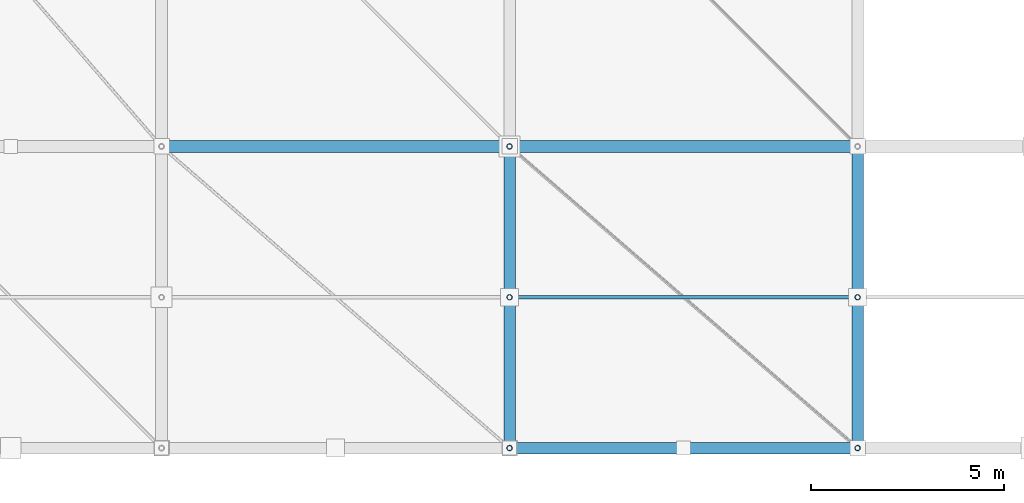
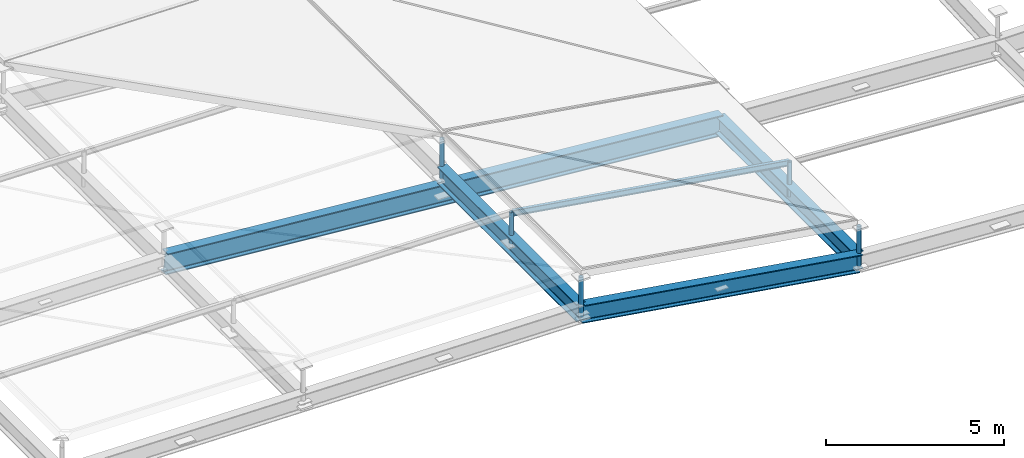
# One storey, part 3 of 80: 6 members, 4 beams.
"""IFC4 building model written with IfcOpenShell, lengths in metres."""

import ifcopenshell
import ifcopenshell.guid

model = None  # the IFC model being written
_history = None  # IfcOwnerHistory: only IFC2X3 demands one
_inside = {}  # id of a spatial element -> (the spatial element, [elements in it])
_under = {}  # id of a project, library or spatial element -> (it, [spatial elements below it])
_declared = {}  # id of a project -> (the project, [libraries it declares])
_typed = {}  # id of a type object -> (the type object, [elements of that type])
_made_of = {}  # id of a material, layer set ... -> (it, [elements and type objects made of it])


def new_model(schema):
    """Start an empty IFC model of exactly this schema.

    Asked for "IFC4X3", IfcOpenShell would pick the latest addendum, in which some entities
    have other attributes; the version numbers below select the first issue.
    IFC2X3 requires an IfcOwnerHistory on every rooted entity: one is made here for all.
    """
    global model, _history
    if schema == "IFC4X3":
        model = ifcopenshell.file(schema_version=(4, 3, 0, 0))
    else:
        model = ifcopenshell.file(schema=schema)
    _inside.clear()
    _under.clear()
    _declared.clear()
    _typed.clear()
    _made_of.clear()
    _history = None
    if model.schema == "IFC2X3":
        org = make("IfcOrganization", Name="unknown")
        user = make(
            "IfcPersonAndOrganization",
            ThePerson=make("IfcPerson", FamilyName="unknown"),
            TheOrganization=org,
        )
        app = make(
            "IfcApplication",
            ApplicationDeveloper=org,
            Version="unknown",
            ApplicationFullName="unknown",
            ApplicationIdentifier="unknown",
        )
        _history = make(
            "IfcOwnerHistory",
            OwningUser=user,
            OwningApplication=app,
            ChangeAction="ADDED",
            CreationDate=0,
        )
    return model


def make(cls, **values):
    """One entity of the class cls with the attributes given. An attribute that is None is left unset."""
    return model.create_entity(
        cls, **{name: value for name, value in values.items() if value is not None}
    )


def rooted(cls, **values):
    """An entity with a GlobalId (a new one), such as an element, a storey or a relation."""
    return make(cls, GlobalId=ifcopenshell.guid.new(), OwnerHistory=_history, **values)


def si_unit(unit_type, name, prefix=None):
    """IfcSIUnit, for example si_unit("LENGTHUNIT", "METRE", prefix="MILLI")."""
    return make("IfcSIUnit", UnitType=unit_type, Prefix=prefix, Name=name)


def assignment(units):
    """IfcUnitAssignment: the units of a project."""
    return None if units is None else make("IfcUnitAssignment", Units=units)


def point(xyz):
    """IfcCartesianPoint."""
    return None if xyz is None else make("IfcCartesianPoint", Coordinates=xyz)


def direction(xyz):
    """IfcDirection."""
    return None if xyz is None else make("IfcDirection", DirectionRatios=xyz)


def frame(location, z_axis=None, x_axis=None):
    """IfcAxis2Placement3D, a coordinate frame: its origin and axes. An axis left out is left unset."""
    return make(
        "IfcAxis2Placement3D",
        Location=point(location),
        Axis=direction(z_axis),
        RefDirection=direction(x_axis),
    )


def frame_2d(location, x_axis=None):
    """IfcAxis2Placement2D, a coordinate frame in the plane: its origin and x axis."""
    return make(
        "IfcAxis2Placement2D", Location=point(location), RefDirection=direction(x_axis)
    )


def origin():
    """The frame at (0, 0, 0) with its axes left unset."""
    return frame((0.0, 0.0, 0.0))


def origin_2d():
    """The frame at (0, 0) in the plane with its x axis left unset."""
    return frame_2d((0.0, 0.0))


def place(relative_to, where):
    """IfcLocalPlacement: puts the frame where relative to a parent placement (None: the world)."""
    return make(
        "IfcLocalPlacement", PlacementRelTo=relative_to, RelativePlacement=where
    )


def context(
    kind, dimensions, precision=None, world=None, true_north=None, identifier=None
):
    """IfcGeometricRepresentationContext, for example the 3D "Model" context."""
    return make(
        "IfcGeometricRepresentationContext",
        ContextIdentifier=identifier,
        ContextType=kind,
        CoordinateSpaceDimension=dimensions,
        Precision=precision,
        WorldCoordinateSystem=world,
        TrueNorth=true_north,
    )


def subcontext(parent, identifier, kind, view, scale=None):
    """IfcGeometricRepresentationSubContext, for example "Body" below "Model"."""
    return make(
        "IfcGeometricRepresentationSubContext",
        ContextIdentifier=identifier,
        ContextType=kind,
        ParentContext=parent,
        TargetScale=scale,
        TargetView=view,
    )


def project(units=None, contexts=None):
    """IfcProject with its units and contexts."""
    return rooted(
        "IfcProject",
        Name="project",
        RepresentationContexts=contexts,
        UnitsInContext=assignment(units),
    )


def spatial(cls, under=None, at=None, **own):
    """A site, building, storey or space (cls), placed at a placement, below another one or the project."""
    s = rooted(cls, ObjectPlacement=at, **own)
    if under is not None:
        _under.setdefault(under.id(), (under, []))[1].append(s)
    return s


def profile(cls, at=None, kind="AREA", **sizes):
    """A parametric profile (cls). Its sizes go by their IFC names, for example OverallWidth=200.0."""
    return make(cls, ProfileType=kind, Position=at, **sizes)


def hollow_circle(**sizes):
    """IfcCircleHollowProfileDef."""
    return profile("IfcCircleHollowProfileDef", **sizes)


def i_section(**sizes):
    """IfcIShapeProfileDef."""
    return profile("IfcIShapeProfileDef", **sizes)


def extrude(swept, where, along, depth):
    """IfcExtrudedAreaSolid: the profile swept, set in the frame where, extruded along a direction by depth."""
    return make(
        "IfcExtrudedAreaSolid",
        SweptArea=swept,
        Position=where,
        ExtrudedDirection=direction(along),
        Depth=depth,
    )


def shape(context_of_items, identifier, shape_type, items):
    """IfcShapeRepresentation: the items that make up one representation, for example the "Body"."""
    return make(
        "IfcShapeRepresentation",
        ContextOfItems=context_of_items,
        RepresentationIdentifier=identifier,
        RepresentationType=shape_type,
        Items=items,
    )


def material(Name=None, Category=None):
    """IfcMaterial."""
    return make("IfcMaterial", Name=Name, Category=Category)


def material_profile(
    of_material, cross_section, Name=None, Category=None, Priority=None
):
    """IfcMaterialProfile: a cross section and its material."""
    return make(
        "IfcMaterialProfile",
        Name=Name,
        Material=of_material,
        Profile=cross_section,
        Priority=Priority,
        Category=Category,
    )


def profile_set(profiles, Name=None, composite=None):
    """IfcMaterialProfileSet."""
    return make(
        "IfcMaterialProfileSet",
        Name=Name,
        MaterialProfiles=profiles,
        CompositeProfile=composite,
    )


def made_of(thing, what):
    """Note that an element or type object is made of a material, layer set ...; save() writes the relation."""
    if what is not None:
        _made_of.setdefault(what.id(), (what, []))[1].append(thing)
    return thing


def type_object(cls, material=None, **own):
    """A type object (cls), such as IfcWallType, which elements share."""
    return made_of(rooted(cls, **own), material)


def element(
    cls,
    number,
    at=None,
    inside=None,
    cuts=None,
    type_object=None,
    material=None,
    context=None,
    identifier="Body",
    shape_type=None,
    held_by="IfcProductDefinitionShape",
    body=None,
    shapes=None,
    **own,
):
    """One element of the class cls, such as IfcWall. Its Tag is "e" and its number.

    at: its placement. inside: the storey or other place that contains it. cuts: it is an
    opening in that element (IfcRelVoidsElement). A single representation is given by context,
    identifier, shape_type and body (its items); several are given by shapes. held_by: the class
    of the entity that holds the representations. save() writes the other relations.
    """
    e = rooted(cls, Tag="e%d" % number, ObjectPlacement=at, **own)
    if body is not None:
        shapes = [shape(context, identifier, shape_type, body)]
    if shapes is not None:
        e.Representation = make(held_by, Representations=shapes)
    if inside is not None:
        _inside.setdefault(inside.id(), (inside, []))[1].append(e)
    if cuts is not None:
        rooted(
            "IfcRelVoidsElement", RelatingBuildingElement=cuts, RelatedOpeningElement=e
        )
    if type_object is not None:
        _typed.setdefault(type_object.id(), (type_object, []))[1].append(e)
    return made_of(e, material)


def aggregate(whole, parts):
    """IfcRelAggregates: a whole, such as a stair, and the parts it consists of."""
    return rooted("IfcRelAggregates", RelatingObject=whole, RelatedObjects=parts)


def save(model, path):
    """Write the relations noted so far, then the file.

    IfcRelAggregates (storeys below a building ...), IfcRelContainedInSpatialStructure (elements
    in a storey), IfcRelDefinesByType, IfcRelAssociatesMaterial and IfcRelDeclares: one each for
    every whole, place, type object, material and project.
    """
    for whole, parts in _under.values():
        aggregate(whole, parts)
    for where, things in _inside.values():
        rooted(
            "IfcRelContainedInSpatialStructure",
            RelatedElements=things,
            RelatingStructure=where,
        )
    for kind, things in _typed.values():
        rooted("IfcRelDefinesByType", RelatedObjects=things, RelatingType=kind)
    for what, things in _made_of.values():
        rooted("IfcRelAssociatesMaterial", RelatedObjects=things, RelatingMaterial=what)
    for by, libraries in _declared.values():
        rooted("IfcRelDeclares", RelatingContext=by, RelatedDefinitions=libraries)
    model.write(path)


model = new_model("IFC4")

# Units and contexts
model_context = context("Model", 3, precision=1e-05, world=origin(), true_north=direction((0.0, 1.0)))
body_context = subcontext(model_context, "Body", "Model", "MODEL_VIEW")
ifc_project = project(units=[si_unit("LENGTHUNIT", "METRE"), si_unit("AREAUNIT", "SQUARE_METRE"), si_unit("VOLUMEUNIT", "CUBIC_METRE"), si_unit("PLANEANGLEUNIT", "RADIAN"), si_unit("MASSUNIT", "GRAM", prefix="KILO")], contexts=[model_context])

# Site, building, storey
site_placement = place(None, origin())
site = spatial("IfcSite", under=ifc_project, at=site_placement, CompositionType="ELEMENT")
building_placement = place(site_placement, origin())
building = spatial("IfcBuilding", under=site, at=building_placement, Name="Barlavento Convention Centre", CompositionType="ELEMENT")
storey_placement = place(building_placement, frame((0.0, 0.0, 29.800048828125)))
storey = spatial("IfcBuildingStorey", under=building, at=storey_placement, Name="RF", CompositionType="ELEMENT", Elevation=29.800048828125)

# Beams
ifc_material_1 = material(Name="Steel S355", Category="steel")
ifc_material_profile_1 = material_profile(ifc_material_1, i_section(OverallWidth=0.300048828125, OverallDepth=0.60009765625, WebThickness=0.015380859375, FlangeThickness=0.030029296875, FilletRadius=0.027099609375, at=origin_2d()), Name="HEB 600")
ifc_profile_set_1 = profile_set([ifc_material_profile_1], Name="Steel S355")
beam_type_1 = type_object("IfcBeamType", Name="STR-BM-CANT-HEB600", PredefinedType="BEAM", material=ifc_profile_set_1)
beam_1_placement = place(storey_placement, frame((9.0048828125, -7.800048828125, 0.15625), z_axis=(0.987879711266, 0.0, -0.155221377617), x_axis=(0.0, 1.0, 0.0)))
element("IfcBeam", 1, at=beam_1_placement, inside=storey, type_object=beam_type_1, Name="Congress roof truss space frame chord", PredefinedType="BEAM", context=body_context, shape_type="SweptSolid", body=[
    extrude(i_section(OverallWidth=0.300048828125, OverallDepth=0.60009765625, WebThickness=0.015380859375, FlangeThickness=0.030029296875, FilletRadius=0.027099609375, at=origin_2d()), origin(), (0.0, 0.0, 1.0), 9.1005859375),
])
for number, where, z_axis, x_axis, name in (
    (2, (9.0, -7.794921875, 0.15625), (0.0, 1.0, 0.0), (-1.0, 0.0, 0.0), "Congress roof truss space frame chord"),
    (3, (18.0, -7.794921875, -1.25634765625), (0.0, 1.0, 0.0), (-1.0, 0.0, 0.0), "Congress roof truss space frame chord"),
):
    element("IfcBeam", number, at=place(storey_placement, frame(where, z_axis=z_axis, x_axis=x_axis)), inside=storey, type_object=beam_type_1, Name=name, PredefinedType="BEAM", context=body_context, shape_type="SweptSolid", body=[
        extrude(i_section(OverallWidth=0.300048828125, OverallDepth=0.60009765625, WebThickness=0.015380859375, FlangeThickness=0.030029296875, FilletRadius=0.027099609375, at=origin_2d()), origin(), (0.0, 0.0, 1.0), 7.7900390625),
    ])
ifc_material_2 = material(Name="Steel S460", Category="steel")
ifc_material_profile_2 = material_profile(ifc_material_2, i_section(OverallWidth=0.300048828125, OverallDepth=0.699951171875, WebThickness=0.01708984375, FlangeThickness=0.031982421875, FilletRadius=0.027099609375, at=origin_2d()), Name="HEB 700")
ifc_profile_set_2 = profile_set([ifc_material_profile_2], Name="Steel S460")
beam_type_2 = type_object("IfcBeamType", Name="STR-BM-TRUSS-TOP-HEB700", PredefinedType="BEAM", material=ifc_profile_set_2)
beam_2_placement = place(storey_placement, frame((0.0048828125, 0.0, 0.286865234375), z_axis=(0.996341025885, 0.0, -0.085466719474), x_axis=(0.0, 1.0, 0.0)))
element("IfcBeam", 4, at=beam_2_placement, inside=storey, type_object=beam_type_2, Name="Congress roof truss space frame chord", PredefinedType="BEAM", context=body_context, shape_type="SweptSolid", body=[
    extrude(i_section(OverallWidth=0.300048828125, OverallDepth=0.699951171875, WebThickness=0.01708984375, FlangeThickness=0.031982421875, FilletRadius=0.027099609375, at=origin_2d()), origin(), (0.0, 0.0, 1.0), 18.056396484375),
])

# Members
ifc_material_profile_3 = material_profile(ifc_material_1, hollow_circle(Radius=0.06982421875, WallThickness=0.008056640625, at=origin_2d()), Name="CHS 139.7x8.0")
ifc_profile_set_3 = profile_set([ifc_material_profile_3], Name="Steel S355")
member_type_1 = type_object("IfcMemberType", Name="STR-MEM-DIAG-CHS139", PredefinedType="BRACE", material=ifc_profile_set_3)
for number, where, z_axis, x_axis, name in (
    (5, (9.0, -7.800048828125, 0.00634765625), (0.0, 0.0, 1.0), (1.0, 0.0, 0.0), "Congress space frame vertical node post TD04"),
    (6, (9.0, 0.0, 0.00634765625), (0.0, 0.0, 1.0), (1.0, 0.0, 0.0), "Congress space frame vertical node post TD04"),
    (7, (18.0, -7.800048828125, -1.40625), (0.0, 0.0, 1.0), (1.0, 0.0, 0.0), "Congress space frame vertical node post TD04"),
):
    element("IfcMember", number, at=place(storey_placement, frame(where, z_axis=z_axis, x_axis=x_axis)), inside=storey, type_object=member_type_1, Name=name, PredefinedType="BRACE", context=body_context, shape_type="SweptSolid", body=[
        extrude(hollow_circle(Radius=0.06982421875, WallThickness=0.008056640625, at=origin_2d()), origin(), (0.0, 0.0, 1.0), 1.369873046875),
    ])
member_1_placement = place(storey_placement, frame((9.0, -3.89990234375, 0.0361328125), z_axis=(0.0, 0.0, 1.0), x_axis=(1.0, 0.0, 0.0)))
element("IfcMember", 8, at=member_1_placement, inside=storey, type_object=member_type_1, Name="Congress space frame vertical node post TD04", PredefinedType="BRACE", context=body_context, shape_type="SweptSolid", body=[
    extrude(hollow_circle(Radius=0.06982421875, WallThickness=0.008056640625, at=origin_2d()), origin(), (0.0, 0.0, 1.0), 1.197509765625),
])
member_2_placement = place(storey_placement, frame((18.0, -3.89990234375, -1.37646484375), z_axis=(0.0, 0.0, 1.0), x_axis=(1.0, 0.0, 0.0)))
element("IfcMember", 9, at=member_2_placement, inside=storey, type_object=member_type_1, Name="Congress space frame vertical node post TD04", PredefinedType="BRACE", context=body_context, shape_type="SweptSolid", body=[
    extrude(hollow_circle(Radius=0.06982421875, WallThickness=0.008056640625, at=origin_2d()), origin(), (0.0, 0.0, 1.0), 1.18505859375),
])
ifc_material_profile_4 = material_profile(ifc_material_1, i_section(OverallWidth=0.10009765625, OverallDepth=0.199951171875, WebThickness=0.005615234375, FlangeThickness=0.008544921875, FilletRadius=0.011962890625, at=origin_2d()), Name="IPE 200")
ifc_profile_set_4 = profile_set([ifc_material_profile_4], Name="Steel S355")
member_type_2 = type_object("IfcMemberType", Name="STR-MEM-PUR-IPE200", PredefinedType="PURLIN", material=ifc_profile_set_4)
member_3_placement = place(storey_placement, frame((9.02001953125, -3.89990234375, 1.179443359375), z_axis=(0.987828132709, 0.0, -0.155549285529), x_axis=(0.0, 1.0, 0.0)))
element("IfcMember", 10, at=member_3_placement, inside=storey, type_object=member_type_2, Name="Congress roof intermediate purlin PR01", PredefinedType="PURLIN", context=body_context, shape_type="SweptSolid", body=[
    extrude(i_section(OverallWidth=0.10009765625, OverallDepth=0.199951171875, WebThickness=0.005615234375, FlangeThickness=0.008544921875, FilletRadius=0.011962890625, at=origin_2d()), origin(), (0.0, 0.0, 1.0), 9.0703125),
])

save(model, "model.ifc")
